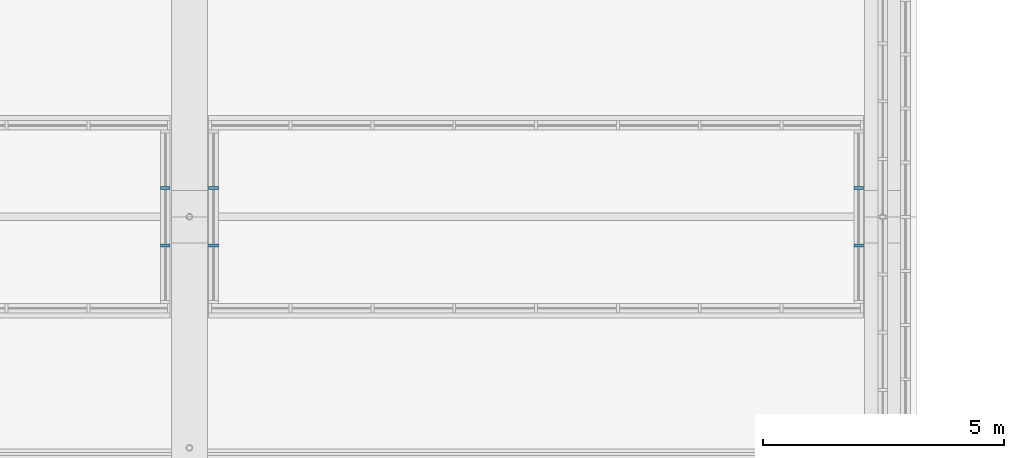
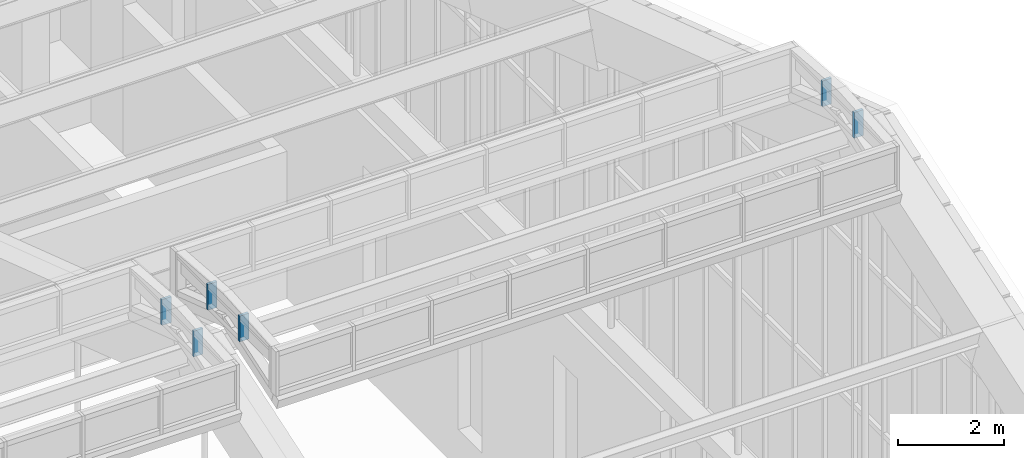
# One storey, part 109 of 149: 6 members, 3 elements without a shape of their own.
"""IFC4 building model written with IfcOpenShell, lengths in metres."""

from ifc_helpers import new_model, si_unit, direction, frame, origin, origin_2d, place, context, subcontext, project, spatial, rectangle, extrude, material, material_profile, profile_set, type_object, element, aggregate, save


model = new_model("IFC4")

# Units and contexts
model_context = context("Model", 3, precision=1e-05, world=origin(), true_north=direction((0.0, 1.0)))
body_context = subcontext(model_context, "Body", "Model", "MODEL_VIEW")
ifc_project = project(units=[si_unit("LENGTHUNIT", "METRE"), si_unit("AREAUNIT", "SQUARE_METRE"), si_unit("VOLUMEUNIT", "CUBIC_METRE"), si_unit("PLANEANGLEUNIT", "RADIAN"), si_unit("MASSUNIT", "GRAM", prefix="KILO")], contexts=[model_context])

# Site, building, storey
site_placement = place(None, origin())
site = spatial("IfcSite", under=ifc_project, at=site_placement, CompositionType="ELEMENT")
building_placement = place(site_placement, origin())
building = spatial("IfcBuilding", under=site, at=building_placement, Name="Alderwick Market Hall", CompositionType="ELEMENT")
storey_placement = place(building_placement, frame((0.0, 0.0, 9.60009765625)))
storey = spatial("IfcBuildingStorey", under=building, at=storey_placement, Name="L01", CompositionType="ELEMENT", Elevation=9.60009765625)

# Curtain wall, members
ifc_material = material(Name="Aluminium", Category="aluminium")
curtain_wall_type = type_object("IfcCurtainWallType", Name="R Curtain Wall Frame", PredefinedType="NOTDEFINED", material=ifc_material)
curtain_wall_1_placement = place(storey_placement, origin())
curtain_wall_1 = element("IfcCurtainWall", 1, at=curtain_wall_1_placement, inside=storey, type_object=curtain_wall_type, Name="Curtain wall LCW E6", PredefinedType="NOTDEFINED")
ifc_material_profile = material_profile(ifc_material, rectangle(XDim=0.199951171875, YDim=0.06005859375, at=origin_2d()), Name="AL 60x200")
ifc_profile_set = profile_set([ifc_material_profile], Name="Aluminium")
member_type = type_object("IfcMemberType", Name="R CW Mullion 60x200", PredefinedType="MULLION", material=ifc_profile_set)
member_1_placement = place(storey_placement, frame((136.300048828125, 78.60009765625, 17.103515625), z_axis=(0.0, 0.0, 1.0), x_axis=(1.0, 0.0, 0.0)))
member_1 = element("IfcMember", 2, at=member_1_placement, type_object=member_type, Name="LCW E6 mullion 2", PredefinedType="MULLION", context=body_context, shape_type="SweptSolid", body=[
    extrude(rectangle(XDim=0.199951171875, YDim=0.06005859375, at=origin_2d()), origin(), (0.0, 0.0, 1.0), 0.596435546875),
])
member_2_placement = place(storey_placement, frame((136.300048828125, 79.800048828125, 17.103515625), z_axis=(0.0, 0.0, 1.0), x_axis=(1.0, 0.0, 0.0)))
member_2 = element("IfcMember", 3, at=member_2_placement, type_object=member_type, Name="LCW E6 mullion 3", PredefinedType="MULLION", context=body_context, shape_type="SweptSolid", body=[
    extrude(rectangle(XDim=0.199951171875, YDim=0.06005859375, at=origin_2d()), origin(), (0.0, 0.0, 1.0), 0.596435546875),
])
aggregate(curtain_wall_1, [member_1, member_2])

curtain_wall_2_placement = place(storey_placement, origin())
curtain_wall_2 = element("IfcCurtainWall", 4, at=curtain_wall_2_placement, inside=storey, type_object=curtain_wall_type, Name="Curtain wall LCW W7", PredefinedType="NOTDEFINED")
member_3_placement = place(storey_placement, frame((137.300048828125, 78.60009765625, 17.103515625), z_axis=(0.0, 0.0, 1.0), x_axis=(1.0, 0.0, 0.0)))
member_3 = element("IfcMember", 5, at=member_3_placement, type_object=member_type, Name="LCW W7 mullion 2", PredefinedType="MULLION", context=body_context, shape_type="SweptSolid", body=[
    extrude(rectangle(XDim=0.199951171875, YDim=0.06005859375, at=origin_2d()), origin(), (0.0, 0.0, 1.0), 0.596435546875),
])
member_4_placement = place(storey_placement, frame((137.300048828125, 79.800048828125, 17.103515625), z_axis=(0.0, 0.0, 1.0), x_axis=(1.0, 0.0, 0.0)))
member_4 = element("IfcMember", 6, at=member_4_placement, type_object=member_type, Name="LCW W7 mullion 3", PredefinedType="MULLION", context=body_context, shape_type="SweptSolid", body=[
    extrude(rectangle(XDim=0.199951171875, YDim=0.06005859375, at=origin_2d()), origin(), (0.0, 0.0, 1.0), 0.596435546875),
])
aggregate(curtain_wall_2, [member_3, member_4])

curtain_wall_3_placement = place(storey_placement, origin())
curtain_wall_3 = element("IfcCurtainWall", 7, at=curtain_wall_3_placement, inside=storey, type_object=curtain_wall_type, Name="Curtain wall LCW E7", PredefinedType="NOTDEFINED")
member_5_placement = place(storey_placement, frame((150.699951171875, 78.60009765625, 17.103515625), z_axis=(0.0, 0.0, 1.0), x_axis=(1.0, 0.0, 0.0)))
member_5 = element("IfcMember", 8, at=member_5_placement, type_object=member_type, Name="LCW E7 mullion 2", PredefinedType="MULLION", context=body_context, shape_type="SweptSolid", body=[
    extrude(rectangle(XDim=0.199951171875, YDim=0.06005859375, at=origin_2d()), origin(), (0.0, 0.0, 1.0), 0.596435546875),
])
member_6_placement = place(storey_placement, frame((150.699951171875, 79.800048828125, 17.103515625), z_axis=(0.0, 0.0, 1.0), x_axis=(1.0, 0.0, 0.0)))
member_6 = element("IfcMember", 9, at=member_6_placement, type_object=member_type, Name="LCW E7 mullion 3", PredefinedType="MULLION", context=body_context, shape_type="SweptSolid", body=[
    extrude(rectangle(XDim=0.199951171875, YDim=0.06005859375, at=origin_2d()), origin(), (0.0, 0.0, 1.0), 0.596435546875),
])
aggregate(curtain_wall_3, [member_5, member_6])

save(model, "model.ifc")
